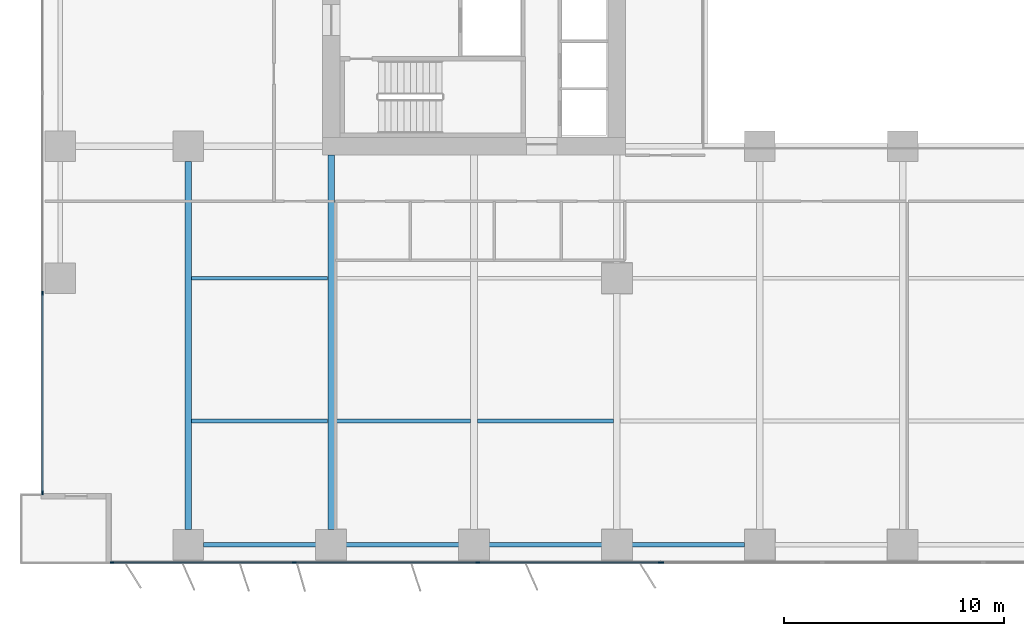
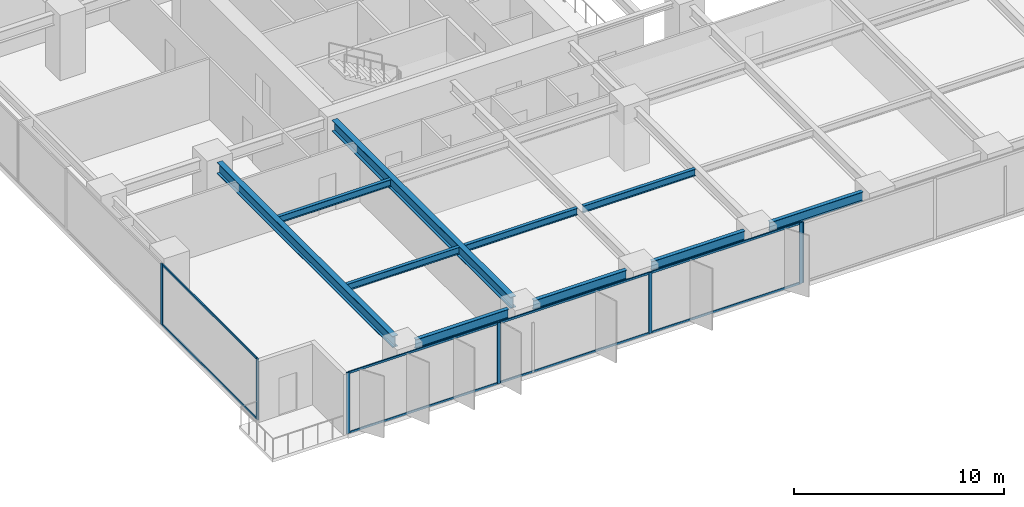
# One storey, part 2 of 21: 15 members, 10 beams, 3 elements without a shape of their own.
"""IFC4 building model written with IfcOpenShell, lengths in metres."""

from ifc_helpers import new_model, si_unit, direction, frame, origin, origin_2d, place, context, subcontext, project, spatial, rectangle, i_section, extrude, material, layer, layer_set, material_profile, profile_set, type_object, element, aggregate, save


model = new_model("IFC4")

# Units and contexts
model_context = context("Model", 3, precision=1e-05, world=origin(), true_north=direction((0.0, 1.0)))
body_context = subcontext(model_context, "Body", "Model", "MODEL_VIEW")
ifc_project = project(units=[si_unit("LENGTHUNIT", "METRE"), si_unit("AREAUNIT", "SQUARE_METRE"), si_unit("VOLUMEUNIT", "CUBIC_METRE"), si_unit("PLANEANGLEUNIT", "RADIAN"), si_unit("MASSUNIT", "GRAM", prefix="KILO")], contexts=[model_context])

# Site, building, storey
site_placement = place(None, origin())
site = spatial("IfcSite", under=ifc_project, at=site_placement, CompositionType="ELEMENT")
building_placement = place(site_placement, origin())
building = spatial("IfcBuilding", under=site, at=building_placement, Name="Putna Gate Headquarters", CompositionType="ELEMENT")
storey_placement = place(building_placement, frame((0.0, 0.0, 39.199951171875)))
storey = spatial("IfcBuildingStorey", under=building, at=storey_placement, Name="L08", CompositionType="ELEMENT", Elevation=39.199951171875)

# Beams
ifc_material_1 = material(Name="Steel S355J2", Category="steel")
ifc_material_profile_1 = material_profile(ifc_material_1, i_section(OverallWidth=0.300048828125, OverallDepth=0.64990234375, WebThickness=0.01611328125, FlangeThickness=0.031005859375, at=origin_2d()), Name="Steel S355J2")
ifc_profile_set_1 = profile_set([ifc_material_profile_1], Name="Steel S355J2")
beam_type_1 = type_object("IfcBeamType", Name="BM-GIRD-Z1-HEB650", PredefinedType="USERDEFINED", material=ifc_profile_set_1)
beam_1_placement = place(storey_placement, frame((6.5, 1.568115234375, 3.22509765625), z_axis=(0.0, 1.0, 0.0), x_axis=(-1.0, 0.0, 0.0)))
element("IfcBeam", 1, at=beam_1_placement, inside=storey, type_object=beam_type_1, Name="L08 South Primary Girder X6", ObjectType="GIRDER", PredefinedType="USERDEFINED", context=body_context, shape_type="SweptSolid", body=[
    extrude(i_section(OverallWidth=0.300048828125, OverallDepth=0.64990234375, WebThickness=0.01611328125, FlangeThickness=0.031005859375, at=origin_2d()), origin(), (0.0, 0.0, 1.0), 16.743896484375),
])
beam_2_placement = place(storey_placement, frame((13.0, 1.568115234375, 3.22509765625), z_axis=(0.0, 1.0, 0.0), x_axis=(-1.0, 0.0, 0.0)))
element("IfcBeam", 2, at=beam_2_placement, inside=storey, type_object=beam_type_1, Name="L08 South Primary Girder X13", ObjectType="GIRDER", PredefinedType="USERDEFINED", context=body_context, shape_type="SweptSolid", body=[
    extrude(i_section(OverallWidth=0.300048828125, OverallDepth=0.64990234375, WebThickness=0.01611328125, FlangeThickness=0.031005859375, at=origin_2d()), origin(), (0.0, 0.0, 1.0), 17.046875),
])
ifc_material_profile_2 = material_profile(ifc_material_1, i_section(OverallWidth=0.179931640625, OverallDepth=0.39990234375, WebThickness=0.008544921875, FlangeThickness=0.013427734375, at=origin_2d()), Name="Steel S355J2")
ifc_profile_set_2 = profile_set([ifc_material_profile_2], Name="Steel S355J2")
beam_type_2 = type_object("IfcBeamType", Name="BM-SEC-Z1-IPE400", PredefinedType="BEAM", material=ifc_profile_set_2)
for number, where, z_axis, x_axis, name in (
    (3, (6.654052734375, 6.5, 3.35009765625), (1.0, 0.0, 0.0), (0.0, 1.0, 0.0), "L08 South Secondary Beam 1"),
    (4, (6.654052734375, 13.0, 3.35009765625), (1.0, 0.0, 0.0), (0.0, 1.0, 0.0), "L08 South Secondary Beam 1"),
    (5, (13.154052734375, 6.5, 3.35009765625), (1.0, 0.0, 0.0), (0.0, 1.0, 0.0), "L08 South Secondary Beam 2"),
    (6, (19.654052734375, 6.5, 3.35009765625), (1.0, 0.0, 0.0), (0.0, 1.0, 0.0), "L08 South Secondary Beam 3"),
):
    element("IfcBeam", number, at=place(storey_placement, frame(where, z_axis=z_axis, x_axis=x_axis)), inside=storey, type_object=beam_type_2, Name=name, PredefinedType="BEAM", context=body_context, shape_type="SweptSolid", body=[
        extrude(i_section(OverallWidth=0.179931640625, OverallDepth=0.39990234375, WebThickness=0.008544921875, FlangeThickness=0.013427734375, at=origin_2d()), origin(), (0.0, 0.0, 1.0), 6.19189453125),
    ])
ifc_material_profile_3 = material_profile(ifc_material_1, i_section(OverallWidth=0.2099609375, OverallDepth=0.550048828125, WebThickness=0.010986328125, FlangeThickness=0.01708984375, at=origin_2d()), Name="Steel S355J2")
ifc_profile_set_3 = profile_set([ifc_material_profile_3], Name="Steel S355J2")
beam_type_3 = type_object("IfcBeamType", Name="BM-SPAN-Z1-IPE550", PredefinedType="SPANDREL", material=ifc_profile_set_3)
for number, where, z_axis, x_axis, name in (
    (7, (7.18798828125, 0.8798828125, 3.275146484375), (1.0, 0.0, 0.0), (0.0, 1.0, 0.0), "L08 S Perimeter Spandrel 1"),
    (8, (13.68798828125, 0.8798828125, 3.275146484375), (1.0, 0.0, 0.0), (0.0, 1.0, 0.0), "L08 S Perimeter Spandrel 2"),
    (9, (20.18798828125, 0.8798828125, 3.275146484375), (1.0, 0.0, 0.0), (0.0, 1.0, 0.0), "L08 S Perimeter Spandrel 3"),
    (10, (26.68798828125, 0.8798828125, 3.275146484375), (1.0, 0.0, 0.0), (0.0, 1.0, 0.0), "L08 S Perimeter Spandrel 4"),
):
    element("IfcBeam", number, at=place(storey_placement, frame(where, z_axis=z_axis, x_axis=x_axis)), inside=storey, type_object=beam_type_3, Name=name, PredefinedType="SPANDREL", context=body_context, shape_type="SweptSolid", body=[
        extrude(i_section(OverallWidth=0.2099609375, OverallDepth=0.550048828125, WebThickness=0.010986328125, FlangeThickness=0.01708984375, at=origin_2d()), origin(), (0.0, 0.0, 1.0), 5.1240234375),
    ])

# Curtain wall, members
ifc_material_2 = material(Name="Anodised bronze aluminium curtain wall", Category="aluminium")
ifc_layer_1 = layer(ifc_material_2, 0.179931640625)
ifc_layer_set_1 = layer_set([ifc_layer_1], Name="Anodised bronze aluminium curtain wall")
curtain_wall_type_1 = type_object("IfcCurtainWallType", Name="CW-SYS-Z1", PredefinedType="USERDEFINED", material=ifc_layer_set_1)
curtain_wall_1_placement = place(storey_placement, origin())
curtain_wall_1 = element("IfcCurtainWall", 11, at=curtain_wall_1_placement, inside=storey, type_object=curtain_wall_type_1, Name="L08 South West Curtain Wall", ObjectType="STICK CURTAIN WALL", PredefinedType="USERDEFINED")
ifc_material_3 = material(Name="Anodised bronze aluminium EN AW-6060", Category="aluminium")
ifc_material_profile_4 = material_profile(ifc_material_3, rectangle(XDim=0.070068359375, YDim=0.179931640625, at=origin_2d()), Name="Anodised bronze aluminium EN AW-6060")
ifc_profile_set_4 = profile_set([ifc_material_profile_4], Name="Anodised bronze aluminium EN AW-6060")
member_type_1 = type_object("IfcMemberType", Name="MULL-CWM-1", PredefinedType="MULLION", material=ifc_profile_set_4)
member_1_placement = place(storey_placement, frame((3.034912109375, 0.080078125, 0.0), z_axis=(0.0, 0.0, 1.0), x_axis=(0.0, 1.0, 0.0)))
member_1 = element("IfcMember", 12, at=member_1_placement, type_object=member_type_1, Name="CWS-1 mullion 1", PredefinedType="MULLION", context=body_context, shape_type="SweptSolid", body=[
    extrude(rectangle(XDim=0.070068359375, YDim=0.179931640625, at=origin_2d()), origin(), (0.0, 0.0, 1.0), 3.550048828125),
])
member_2_placement = place(storey_placement, frame((11.333251953125, 0.080078125, 0.0), z_axis=(0.0, 0.0, 1.0), x_axis=(0.0, 1.0, 0.0)))
member_2 = element("IfcMember", 13, at=member_2_placement, type_object=member_type_1, Name="CWS-1 mullion 2", PredefinedType="MULLION", context=body_context, shape_type="SweptSolid", body=[
    extrude(rectangle(XDim=0.070068359375, YDim=0.179931640625, at=origin_2d()), origin(), (0.0, 0.0, 1.0), 3.550048828125),
])
member_3_placement = place(storey_placement, frame((19.666748046875, 0.080078125, 0.0), z_axis=(0.0, 0.0, 1.0), x_axis=(0.0, 1.0, 0.0)))
member_3 = element("IfcMember", 14, at=member_3_placement, type_object=member_type_1, Name="CWS-1 mullion 3", PredefinedType="MULLION", context=body_context, shape_type="SweptSolid", body=[
    extrude(rectangle(XDim=0.070068359375, YDim=0.179931640625, at=origin_2d()), origin(), (0.0, 0.0, 1.0), 3.550048828125),
])
member_4_placement = place(storey_placement, frame((27.965087890625, 0.080078125, 0.0), z_axis=(0.0, 0.0, 1.0), x_axis=(0.0, 1.0, 0.0)))
member_4 = element("IfcMember", 15, at=member_4_placement, type_object=member_type_1, Name="CWS-1 mullion 4", PredefinedType="MULLION", context=body_context, shape_type="SweptSolid", body=[
    extrude(rectangle(XDim=0.070068359375, YDim=0.179931640625, at=origin_2d()), origin(), (0.0, 0.0, 1.0), 3.550048828125),
])

curtain_wall_2_placement = place(storey_placement, origin())
curtain_wall_2 = element("IfcCurtainWall", 16, at=curtain_wall_2_placement, inside=storey, type_object=curtain_wall_type_1, Name="L08 West Curtain Wall", ObjectType="STICK CURTAIN WALL", PredefinedType="USERDEFINED")
member_5_placement = place(storey_placement, frame((-0.1201171875, 3.235107421875, 0.0), z_axis=(0.0, 0.0, 1.0), x_axis=(-1.0, 0.0, 0.0)))
member_5 = element("IfcMember", 17, at=member_5_placement, type_object=member_type_1, Name="CWS-1 mullion 1", PredefinedType="MULLION", context=body_context, shape_type="SweptSolid", body=[
    extrude(rectangle(XDim=0.070068359375, YDim=0.179931640625, at=origin_2d()), origin(), (0.0, 0.0, 1.0), 3.550048828125),
])
member_6_placement = place(storey_placement, frame((-0.1201171875, 12.320068359375, 0.0), z_axis=(0.0, 0.0, 1.0), x_axis=(-1.0, 0.0, 0.0)))
member_6 = element("IfcMember", 18, at=member_6_placement, type_object=member_type_1, Name="CWS-1 mullion 2", PredefinedType="MULLION", context=body_context, shape_type="SweptSolid", body=[
    extrude(rectangle(XDim=0.070068359375, YDim=0.179931640625, at=origin_2d()), origin(), (0.0, 0.0, 1.0), 3.550048828125),
])

# Curtain wall, member
ifc_layer_2 = layer(ifc_material_2, 0.179931640625)
ifc_layer_set_2 = layer_set([ifc_layer_2], Name="Anodised bronze aluminium curtain wall")
curtain_wall_type_2 = type_object("IfcCurtainWallType", Name="CW-SYS-ATR", PredefinedType="USERDEFINED", material=ifc_layer_set_2)
curtain_wall_3_placement = place(storey_placement, origin())
curtain_wall_3 = element("IfcCurtainWall", 19, at=curtain_wall_3_placement, inside=storey, type_object=curtain_wall_type_2, Name="L08 South Atrium Clear Glazing", ObjectType="ATRIUM GLAZING", PredefinedType="USERDEFINED")
ifc_material_profile_5 = material_profile(ifc_material_3, rectangle(XDim=0.070068359375, YDim=0.179931640625, at=origin_2d()), Name="Anodised bronze aluminium EN AW-6060")
ifc_profile_set_5 = profile_set([ifc_material_profile_5], Name="Anodised bronze aluminium EN AW-6060")
member_type_2 = type_object("IfcMemberType", Name="MULL-CWM-AT", PredefinedType="MULLION", material=ifc_profile_set_5)
member_7_placement = place(storey_placement, frame((28.034912109375, 0.080078125, 0.0), z_axis=(0.0, 0.0, 1.0), x_axis=(0.0, 1.0, 0.0)))
member_7 = element("IfcMember", 20, at=member_7_placement, type_object=member_type_2, Name="CWS-AT mullion 1", PredefinedType="MULLION", context=body_context, shape_type="SweptSolid", body=[
    extrude(rectangle(XDim=0.070068359375, YDim=0.179931640625, at=origin_2d()), origin(), (0.0, 0.0, 1.0), 3.550048828125),
])
aggregate(curtain_wall_3, [member_7])

# Member
ifc_material_profile_6 = material_profile(ifc_material_3, rectangle(XDim=0.06494140625, YDim=0.1201171875, at=origin_2d()), Name="Anodised bronze aluminium EN AW-6060")
ifc_profile_set_6 = profile_set([ifc_material_profile_6], Name="Anodised bronze aluminium EN AW-6060")
member_type_3 = type_object("IfcMemberType", Name="TRAN-CWT-1", PredefinedType="USERDEFINED", material=ifc_profile_set_6)
member_8_placement = place(storey_placement, frame((3.070068359375, 0.080078125, 0.032470703125), z_axis=(1.0, 0.0, 0.0), x_axis=(0.0, 1.0, 0.0)))
member_8 = element("IfcMember", 21, at=member_8_placement, type_object=member_type_3, Name="CWS-1 transom 1.1", ObjectType="TRANSOM", PredefinedType="USERDEFINED", context=body_context, shape_type="SweptSolid", body=[
    extrude(rectangle(XDim=0.06494140625, YDim=0.1201171875, at=origin_2d()), origin(), (0.0, 0.0, 1.0), 8.228271484375),
])

member_9_placement = place(storey_placement, frame((3.070068359375, 0.080078125, 3.517578125), z_axis=(1.0, 0.0, 0.0), x_axis=(0.0, 1.0, 0.0)))
member_9 = element("IfcMember", 22, at=member_9_placement, type_object=member_type_3, Name="CWS-1 transom 1.2", ObjectType="TRANSOM", PredefinedType="USERDEFINED", context=body_context, shape_type="SweptSolid", body=[
    extrude(rectangle(XDim=0.06494140625, YDim=0.1201171875, at=origin_2d()), origin(), (0.0, 0.0, 1.0), 8.228271484375),
])

member_10_placement = place(storey_placement, frame((11.368408203125, 0.080078125, 0.032470703125), z_axis=(1.0, 0.0, 0.0), x_axis=(0.0, 1.0, 0.0)))
member_10 = element("IfcMember", 23, at=member_10_placement, type_object=member_type_3, Name="CWS-1 transom 2.1", ObjectType="TRANSOM", PredefinedType="USERDEFINED", context=body_context, shape_type="SweptSolid", body=[
    extrude(rectangle(XDim=0.06494140625, YDim=0.1201171875, at=origin_2d()), origin(), (0.0, 0.0, 1.0), 8.26318359375),
])

member_11_placement = place(storey_placement, frame((11.368408203125, 0.080078125, 3.517578125), z_axis=(1.0, 0.0, 0.0), x_axis=(0.0, 1.0, 0.0)))
member_11 = element("IfcMember", 24, at=member_11_placement, type_object=member_type_3, Name="CWS-1 transom 2.2", ObjectType="TRANSOM", PredefinedType="USERDEFINED", context=body_context, shape_type="SweptSolid", body=[
    extrude(rectangle(XDim=0.06494140625, YDim=0.1201171875, at=origin_2d()), origin(), (0.0, 0.0, 1.0), 8.26318359375),
])

member_12_placement = place(storey_placement, frame((19.70166015625, 0.080078125, 0.032470703125), z_axis=(1.0, 0.0, 0.0), x_axis=(0.0, 1.0, 0.0)))
member_12 = element("IfcMember", 25, at=member_12_placement, type_object=member_type_3, Name="CWS-1 transom 3.1", ObjectType="TRANSOM", PredefinedType="USERDEFINED", context=body_context, shape_type="SweptSolid", body=[
    extrude(rectangle(XDim=0.06494140625, YDim=0.1201171875, at=origin_2d()), origin(), (0.0, 0.0, 1.0), 8.228271484375),
])

member_13_placement = place(storey_placement, frame((19.70166015625, 0.080078125, 3.517578125), z_axis=(1.0, 0.0, 0.0), x_axis=(0.0, 1.0, 0.0)))
member_13 = element("IfcMember", 26, at=member_13_placement, type_object=member_type_3, Name="CWS-1 transom 3.2", ObjectType="TRANSOM", PredefinedType="USERDEFINED", context=body_context, shape_type="SweptSolid", body=[
    extrude(rectangle(XDim=0.06494140625, YDim=0.1201171875, at=origin_2d()), origin(), (0.0, 0.0, 1.0), 8.228271484375),
])

aggregate(curtain_wall_1, [member_1, member_2, member_3, member_4, member_8, member_9, member_10, member_11, member_12, member_13])

member_14_placement = place(storey_placement, frame((-0.1201171875, 3.27001953125, 0.032470703125), z_axis=(0.0, 1.0, 0.0), x_axis=(-1.0, 0.0, 0.0)))
member_14 = element("IfcMember", 27, at=member_14_placement, type_object=member_type_3, Name="CWS-1 transom 1.1", ObjectType="TRANSOM", PredefinedType="USERDEFINED", context=body_context, shape_type="SweptSolid", body=[
    extrude(rectangle(XDim=0.06494140625, YDim=0.1201171875, at=origin_2d()), origin(), (0.0, 0.0, 1.0), 9.014892578125),
])

member_15_placement = place(storey_placement, frame((-0.1201171875, 3.27001953125, 3.517578125), z_axis=(0.0, 1.0, 0.0), x_axis=(-1.0, 0.0, 0.0)))
member_15 = element("IfcMember", 28, at=member_15_placement, type_object=member_type_3, Name="CWS-1 transom 1.2", ObjectType="TRANSOM", PredefinedType="USERDEFINED", context=body_context, shape_type="SweptSolid", body=[
    extrude(rectangle(XDim=0.06494140625, YDim=0.1201171875, at=origin_2d()), origin(), (0.0, 0.0, 1.0), 9.014892578125),
])

aggregate(curtain_wall_2, [member_5, member_6, member_14, member_15])

save(model, "model.ifc")
